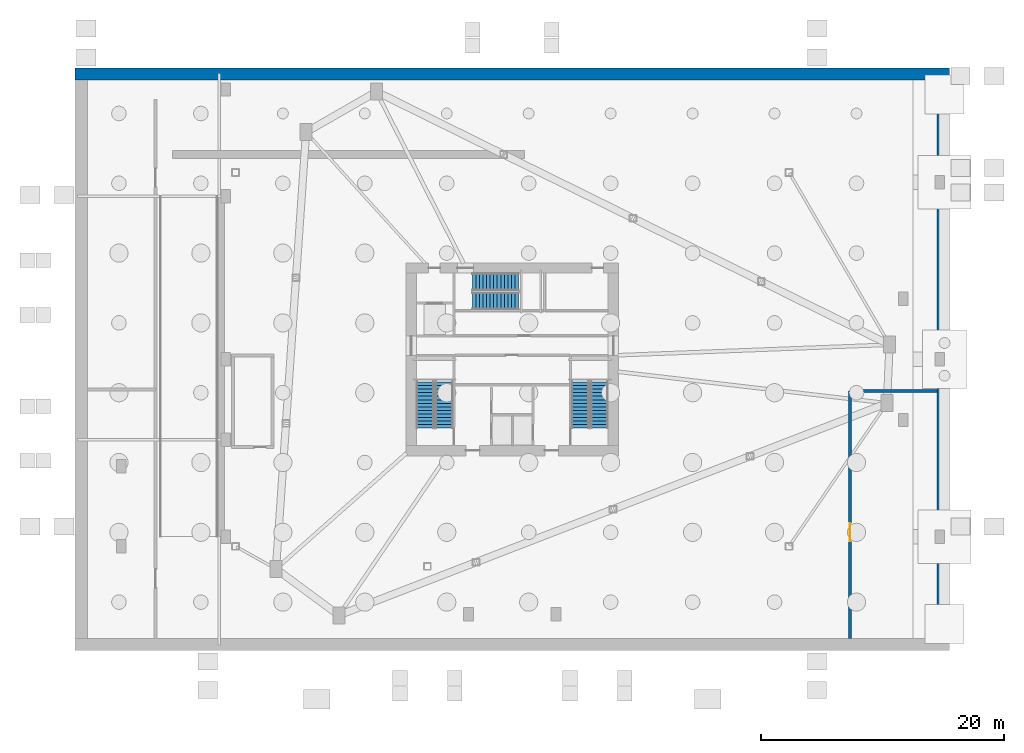
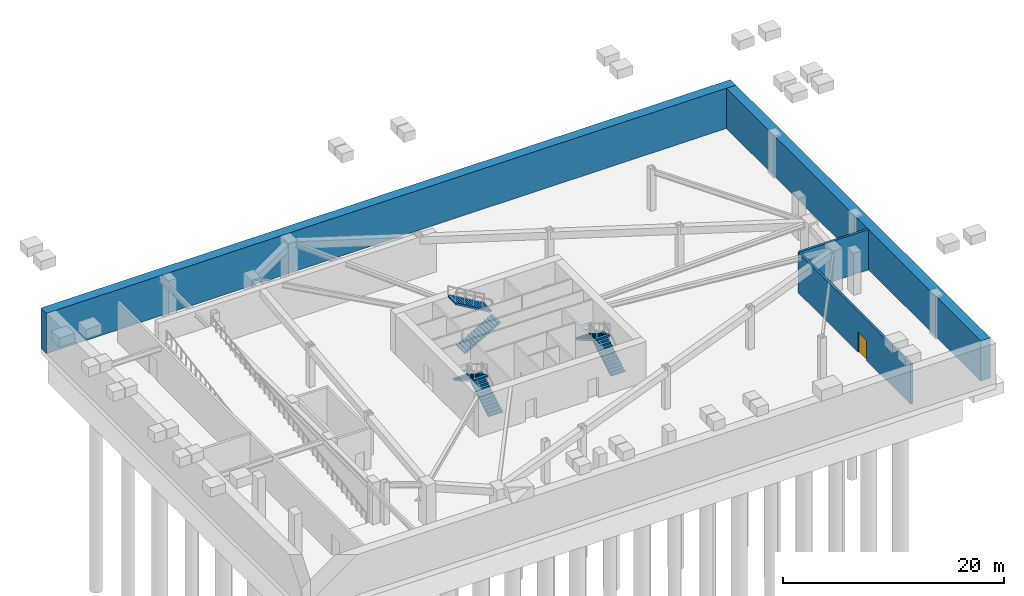
# One storey, part 5 of 9: 6 stair flights, 4 walls, 1 door, 1 opening, 3 elements without a shape of their own.
"""IFC4 building model written with IfcOpenShell, lengths in metres."""

from ifc_helpers import new_model, si_unit, direction, frame, frame_2d, origin, place, context, subcontext, project, spatial, polyline, rectangle, outline, extrude, source, transform, mapped, material, layer, layer_set, type_object, type_shapes, element, fill, aggregate, save


model = new_model("IFC4")

# Units and contexts
model_context = context("Model", 3, precision=1e-05, world=origin(), true_north=direction((0.0, 1.0)))
body_context = subcontext(model_context, "Body", "Model", "MODEL_VIEW")
ifc_project = project(units=[si_unit("LENGTHUNIT", "METRE"), si_unit("AREAUNIT", "SQUARE_METRE"), si_unit("VOLUMEUNIT", "CUBIC_METRE"), si_unit("PLANEANGLEUNIT", "RADIAN"), si_unit("MASSUNIT", "GRAM", prefix="KILO")], contexts=[model_context])

# Site, building, storey
site_placement = place(None, origin())
site = spatial("IfcSite", under=ifc_project, at=site_placement, CompositionType="ELEMENT")
building_placement = place(site_placement, origin())
building = spatial("IfcBuilding", under=site, at=building_placement, Name="Olszyna Solenne Hotel", CompositionType="ELEMENT")
storey_placement = place(building_placement, frame((0.0, 0.0, -9.60009765625)))
storey = spatial("IfcBuildingStorey", under=building, at=storey_placement, Name="B02", CompositionType="ELEMENT", Elevation=-9.60009765625)

# Walls
ifc_material_1 = material(Name="Concrete C40/50", Category="concrete")
ifc_layer_1 = layer(ifc_material_1, 1.0, Name="Concrete C40/50")
ifc_layer_set_1 = layer_set([ifc_layer_1], Name="Concrete C40/50")
wall_type_1 = type_object("IfcWallType", Name="WL-DW1000", PredefinedType="SOLIDWALL", material=ifc_layer_set_1)
wall_1_placement = place(storey_placement, frame((2.0, 50.10009765625, 0.0), z_axis=(0.0, 0.0, 1.0), x_axis=(1.0, 0.0, 0.0)))
element("IfcWall", 1, at=wall_1_placement, inside=storey, type_object=wall_type_1, Name="Perimeter diaphragm wall DW-B02-N", PredefinedType="SOLIDWALL", context=body_context, shape_type="SweptSolid", body=[
    extrude(rectangle(XDim=72.0, YDim=1.0, at=frame_2d((36.0, 0.0))), origin(), (0.0, 0.0, 1.0), 4.4501953125),
])
wall_2_placement = place(storey_placement, frame((73.5, 3.60009765625, 0.0), z_axis=(0.0, 0.0, 1.0), x_axis=(0.0, 1.0, 0.0)))
element("IfcWall", 2, at=wall_2_placement, inside=storey, type_object=wall_type_1, Name="Perimeter diaphragm wall DW-B02-E", PredefinedType="SOLIDWALL", context=body_context, shape_type="SweptSolid", body=[
    extrude(rectangle(XDim=46.0, YDim=1.0, at=frame_2d((23.0, 0.0))), origin(), (0.0, 0.0, 1.0), 4.4501953125),
])

# Wall, opening, door
ifc_material_2 = material(Name="Acoustic gypsum partition", Category="gypsum")
ifc_layer_2 = layer(ifc_material_2, 0.239990234375, Name="Acoustic gypsum partition")
ifc_layer_set_2 = layer_set([ifc_layer_2], Name="Acoustic gypsum partition")
wall_type_2 = type_object("IfcWallType", Name="WL-PT240", PredefinedType="PARTITIONING", material=ifc_layer_set_2)
wall_3_placement = place(storey_placement, frame((65.800048828125, 3.60009765625, 0.0), z_axis=(0.0, 0.0, 1.0), x_axis=(0.0, 1.0, 0.0)))
wall_3 = element("IfcWall", 3, at=wall_3_placement, inside=storey, type_object=wall_type_2, Name="Interior acoustic partition WL-PT240 PW-B02-0024", PredefinedType="PARTITIONING", context=body_context, shape_type="SweptSolid", body=[
    extrude(rectangle(XDim=20.39990234375, YDim=0.239990234375, at=frame_2d((10.199951171875, 0.0))), origin(), (0.0, 0.0, 1.0), 4.4501953125),
])
opening_placement = place(wall_3_placement, frame((8.0, 0.0, 0.0)))
opening = element("IfcOpeningElement", 4, at=opening_placement, cuts=wall_3, Name="Opening DR-B02-0005", PredefinedType="OPENING", context=body_context, shape_type="SweptSolid", body=[
    extrude(rectangle(XDim=1.5, YDim=2.25, at=frame_2d((0.75, 1.125))), frame((0.0, 0.1298828125, 0.0), z_axis=(0.0, -1.0, 0.0), x_axis=(1.0, 0.0, 0.0)), (0.0, 0.0, 1.0), 0.260009765625),
])
ifc_material_3 = material(Name="Steel S355J2", Category="steel")
door_type = type_object("IfcDoorType", Name="DR-PL1", OperationType="DOUBLE_DOOR_SINGLE_SWING", PredefinedType="DOOR", material=ifc_material_3)
shared_shape = source(origin(), body_context, "Body", "SweptSolid", [
    extrude(rectangle(XDim=1.5, YDim=2.25, at=frame_2d((0.75, 1.125))), frame((0.0, 0.02490234375, 0.0), z_axis=(0.0, -1.0, 0.0), x_axis=(1.0, 0.0, 0.0)), (0.0, 0.0, 1.0), 0.050048828125),
])
type_shapes(door_type, [shared_shape])
door_placement = place(opening_placement, origin())
door = element("IfcDoor", 5, at=door_placement, inside=storey, type_object=door_type, Name="Substation Fire Door DR-B02-0005", OperationType="DOUBLE_DOOR_SINGLE_SWING", OverallHeight=2.25, OverallWidth=1.5, PredefinedType="DOOR", context=body_context, shape_type="MappedRepresentation", body=[
    mapped(shared_shape, transform((0.0, 0.0, 0.0), x_axis=(1.0, 0.0, 0.0), y_axis=(0.0, 1.0, 0.0), z_axis=(0.0, 0.0, 1.0), scale=1.0)),
])
fill(opening, door)

# Wall
wall_4_placement = place(storey_placement, frame((65.800048828125, 24.0, 0.0), z_axis=(0.0, 0.0, 1.0), x_axis=(1.0, 0.0, 0.0)))
element("IfcWall", 6, at=wall_4_placement, inside=storey, type_object=wall_type_2, Name="Interior acoustic partition WL-PT240 PW-B02-0025", PredefinedType="PARTITIONING", context=body_context, shape_type="SweptSolid", body=[
    extrude(rectangle(XDim=7.199951171875, YDim=0.239990234375, at=frame_2d((3.60009765625, 0.0))), origin(), (0.0, 0.0, 1.0), 4.4501953125),
])

# Stair, stair flights
stair_type = type_object("IfcStairType", Name="STR-C1", PredefinedType="TWO_QUARTER_WINDING_STAIR", material=ifc_material_1)
stair_1_placement = place(storey_placement, origin())
stair_1 = element("IfcStair", 7, at=stair_1_placement, inside=storey, type_object=stair_type, Name="B02 ST1", PredefinedType="TWO_QUARTER_WINDING_STAIR")
stair_flight_type = type_object("IfcStairFlightType", Name="FLT-C1", PredefinedType="STRAIGHT", material=ifc_material_1)
stair_flight_1_placement = place(storey_placement, frame((32.39501953125, 20.949951171875, 0.0), z_axis=(0.0, 0.0, 1.0), x_axis=(0.0, 1.0, 0.0)))
stair_flight_1 = element("IfcStairFlight", 8, at=stair_flight_1_placement, type_object=stair_flight_type, Name="ST1 flight 1", NumberOfRisers=14, NumberOfTreads=13, PredefinedType="STRAIGHT", RiserHeight=0.171428571, TreadLength=0.29, context=body_context, shape_type="SweptSolid", body=[
    extrude(outline(polyline([(0.0, 0.0), (0.0, 0.17138671875), (0.2900390625, 0.17138671875), (0.2900390625, 0.3427734375), (0.580078125, 0.3427734375), (0.580078125, 0.514404296875), (0.8701171875, 0.514404296875), (0.8701171875, 0.685791015625), (1.159912109375, 0.685791015625), (1.159912109375, 0.857177734375), (1.449951171875, 0.857177734375), (1.449951171875, 1.028564453125), (1.739990234375, 1.028564453125), (1.739990234375, 1.199951171875), (2.030029296875, 1.199951171875), (2.030029296875, 1.371337890625), (2.320068359375, 1.371337890625), (2.320068359375, 1.54296875), (2.610107421875, 1.54296875), (2.610107421875, 1.71435546875), (2.89990234375, 1.71435546875), (2.89990234375, 1.8857421875), (3.18994140625, 1.8857421875), (3.18994140625, 2.05712890625), (3.47998046875, 2.05712890625), (3.47998046875, 2.228515625), (3.77001953125, 2.228515625), (3.77001953125, 2.39990234375), (3.77001953125, 2.054443359375), (0.294677734375, 0.0), (0.0, 0.0)])), frame((0.0, 0.72509765625, 0.0), z_axis=(0.0, -1.0, 0.0), x_axis=(1.0, 0.0, 0.0)), (0.0, 0.0, 1.0), 1.449951171875),
])
stair_flight_2_placement = place(storey_placement, frame((30.824951171875, 24.719970703125, 2.400146484375), z_axis=(0.0, 0.0, 1.0), x_axis=(0.0, -1.0, 0.0)))
stair_flight_2 = element("IfcStairFlight", 9, at=stair_flight_2_placement, type_object=stair_flight_type, Name="ST1 flight 2", NumberOfRisers=14, NumberOfTreads=13, PredefinedType="STRAIGHT", RiserHeight=0.171428571, TreadLength=0.29, context=body_context, shape_type="SweptSolid", body=[
    extrude(outline(polyline([(0.0, 0.0), (0.0, 0.17138671875), (0.2900390625, 0.17138671875), (0.2900390625, 0.3427734375), (0.580078125, 0.3427734375), (0.580078125, 0.514404296875), (0.8701171875, 0.514404296875), (0.8701171875, 0.685791015625), (1.159912109375, 0.685791015625), (1.159912109375, 0.857177734375), (1.449951171875, 0.857177734375), (1.449951171875, 1.028564453125), (1.739990234375, 1.028564453125), (1.739990234375, 1.199951171875), (2.030029296875, 1.199951171875), (2.030029296875, 1.371337890625), (2.320068359375, 1.371337890625), (2.320068359375, 1.54296875), (2.610107421875, 1.54296875), (2.610107421875, 1.71435546875), (2.89990234375, 1.71435546875), (2.89990234375, 1.8857421875), (3.18994140625, 1.8857421875), (3.18994140625, 2.05712890625), (3.47998046875, 2.05712890625), (3.47998046875, 2.228515625), (3.77001953125, 2.228515625), (3.77001953125, 2.39990234375), (3.77001953125, 2.054443359375), (0.294677734375, 0.0), (0.0, 0.0)])), frame((0.0, 0.72509765625, 0.0), z_axis=(0.0, -1.0, 0.0), x_axis=(1.0, 0.0, 0.0)), (0.0, 0.0, 1.0), 1.449951171875),
])
aggregate(stair_1, [stair_flight_1, stair_flight_2])

stair_2_placement = place(storey_placement, origin())
stair_2 = element("IfcStair", 10, at=stair_2_placement, inside=storey, type_object=stair_type, Name="B02 ST2", PredefinedType="TWO_QUARTER_WINDING_STAIR")
stair_flight_3_placement = place(storey_placement, frame((45.175048828125, 20.949951171875, 0.0), z_axis=(0.0, 0.0, 1.0), x_axis=(0.0, 1.0, 0.0)))
stair_flight_3 = element("IfcStairFlight", 11, at=stair_flight_3_placement, type_object=stair_flight_type, Name="ST2 flight 1", NumberOfRisers=14, NumberOfTreads=13, PredefinedType="STRAIGHT", RiserHeight=0.171428571, TreadLength=0.29, context=body_context, shape_type="SweptSolid", body=[
    extrude(outline(polyline([(0.0, 0.0), (0.0, 0.17138671875), (0.2900390625, 0.17138671875), (0.2900390625, 0.3427734375), (0.580078125, 0.3427734375), (0.580078125, 0.514404296875), (0.8701171875, 0.514404296875), (0.8701171875, 0.685791015625), (1.159912109375, 0.685791015625), (1.159912109375, 0.857177734375), (1.449951171875, 0.857177734375), (1.449951171875, 1.028564453125), (1.739990234375, 1.028564453125), (1.739990234375, 1.199951171875), (2.030029296875, 1.199951171875), (2.030029296875, 1.371337890625), (2.320068359375, 1.371337890625), (2.320068359375, 1.54296875), (2.610107421875, 1.54296875), (2.610107421875, 1.71435546875), (2.89990234375, 1.71435546875), (2.89990234375, 1.8857421875), (3.18994140625, 1.8857421875), (3.18994140625, 2.05712890625), (3.47998046875, 2.05712890625), (3.47998046875, 2.228515625), (3.77001953125, 2.228515625), (3.77001953125, 2.39990234375), (3.77001953125, 2.054443359375), (0.294677734375, 0.0), (0.0, 0.0)])), frame((0.0, 0.72509765625, 0.0), z_axis=(0.0, -1.0, 0.0), x_axis=(1.0, 0.0, 0.0)), (0.0, 0.0, 1.0), 1.449951171875),
])
stair_flight_4_placement = place(storey_placement, frame((43.60498046875, 24.719970703125, 2.400146484375), z_axis=(0.0, 0.0, 1.0), x_axis=(0.0, -1.0, 0.0)))
stair_flight_4 = element("IfcStairFlight", 12, at=stair_flight_4_placement, type_object=stair_flight_type, Name="ST2 flight 2", NumberOfRisers=14, NumberOfTreads=13, PredefinedType="STRAIGHT", RiserHeight=0.171428571, TreadLength=0.29, context=body_context, shape_type="SweptSolid", body=[
    extrude(outline(polyline([(0.0, 0.0), (0.0, 0.17138671875), (0.2900390625, 0.17138671875), (0.2900390625, 0.3427734375), (0.580078125, 0.3427734375), (0.580078125, 0.514404296875), (0.8701171875, 0.514404296875), (0.8701171875, 0.685791015625), (1.159912109375, 0.685791015625), (1.159912109375, 0.857177734375), (1.449951171875, 0.857177734375), (1.449951171875, 1.028564453125), (1.739990234375, 1.028564453125), (1.739990234375, 1.199951171875), (2.030029296875, 1.199951171875), (2.030029296875, 1.371337890625), (2.320068359375, 1.371337890625), (2.320068359375, 1.54296875), (2.610107421875, 1.54296875), (2.610107421875, 1.71435546875), (2.89990234375, 1.71435546875), (2.89990234375, 1.8857421875), (3.18994140625, 1.8857421875), (3.18994140625, 2.05712890625), (3.47998046875, 2.05712890625), (3.47998046875, 2.228515625), (3.77001953125, 2.228515625), (3.77001953125, 2.39990234375), (3.77001953125, 2.054443359375), (0.294677734375, 0.0), (0.0, 0.0)])), frame((0.0, 0.72509765625, 0.0), z_axis=(0.0, -1.0, 0.0), x_axis=(1.0, 0.0, 0.0)), (0.0, 0.0, 1.0), 1.449951171875),
])
aggregate(stair_2, [stair_flight_3, stair_flight_4])

stair_3_placement = place(storey_placement, origin())
stair_3 = element("IfcStair", 13, at=stair_3_placement, inside=storey, type_object=stair_type, Name="B02 ST3", PredefinedType="TWO_QUARTER_WINDING_STAIR")
stair_flight_5_placement = place(storey_placement, frame((34.72998046875, 31.405029296875, 0.0), z_axis=(0.0, 0.0, 1.0), x_axis=(1.0, 0.0, 0.0)))
stair_flight_5 = element("IfcStairFlight", 14, at=stair_flight_5_placement, type_object=stair_flight_type, Name="ST3 flight 1", NumberOfRisers=14, NumberOfTreads=13, PredefinedType="STRAIGHT", RiserHeight=0.171428571, TreadLength=0.29, context=body_context, shape_type="SweptSolid", body=[
    extrude(outline(polyline([(0.0, 0.0), (0.0, 0.17138671875), (0.2900390625, 0.17138671875), (0.2900390625, 0.3427734375), (0.580078125, 0.3427734375), (0.580078125, 0.514404296875), (0.8701171875, 0.514404296875), (0.8701171875, 0.685791015625), (1.159912109375, 0.685791015625), (1.159912109375, 0.857177734375), (1.449951171875, 0.857177734375), (1.449951171875, 1.028564453125), (1.739990234375, 1.028564453125), (1.739990234375, 1.199951171875), (2.030029296875, 1.199951171875), (2.030029296875, 1.371337890625), (2.320068359375, 1.371337890625), (2.320068359375, 1.54296875), (2.610107421875, 1.54296875), (2.610107421875, 1.71435546875), (2.89990234375, 1.71435546875), (2.89990234375, 1.8857421875), (3.18994140625, 1.8857421875), (3.18994140625, 2.05712890625), (3.47998046875, 2.05712890625), (3.47998046875, 2.228515625), (3.77001953125, 2.228515625), (3.77001953125, 2.39990234375), (3.77001953125, 2.054443359375), (0.294677734375, 0.0), (0.0, 0.0)])), frame((0.0, 0.72509765625, 0.0), z_axis=(0.0, -1.0, 0.0), x_axis=(1.0, 0.0, 0.0)), (0.0, 0.0, 1.0), 1.449951171875),
])
stair_flight_6_placement = place(storey_placement, frame((38.5, 32.97509765625, 2.400146484375), z_axis=(0.0, 0.0, 1.0), x_axis=(-1.0, 0.0, 0.0)))
stair_flight_6 = element("IfcStairFlight", 15, at=stair_flight_6_placement, type_object=stair_flight_type, Name="ST3 flight 2", NumberOfRisers=14, NumberOfTreads=13, PredefinedType="STRAIGHT", RiserHeight=0.171428571, TreadLength=0.29, context=body_context, shape_type="SweptSolid", body=[
    extrude(outline(polyline([(0.0, 0.0), (0.0, 0.17138671875), (0.2900390625, 0.17138671875), (0.2900390625, 0.3427734375), (0.580078125, 0.3427734375), (0.580078125, 0.514404296875), (0.8701171875, 0.514404296875), (0.8701171875, 0.685791015625), (1.159912109375, 0.685791015625), (1.159912109375, 0.857177734375), (1.449951171875, 0.857177734375), (1.449951171875, 1.028564453125), (1.739990234375, 1.028564453125), (1.739990234375, 1.199951171875), (2.030029296875, 1.199951171875), (2.030029296875, 1.371337890625), (2.320068359375, 1.371337890625), (2.320068359375, 1.54296875), (2.610107421875, 1.54296875), (2.610107421875, 1.71435546875), (2.89990234375, 1.71435546875), (2.89990234375, 1.8857421875), (3.18994140625, 1.8857421875), (3.18994140625, 2.05712890625), (3.47998046875, 2.05712890625), (3.47998046875, 2.228515625), (3.77001953125, 2.228515625), (3.77001953125, 2.39990234375), (3.77001953125, 2.054443359375), (0.294677734375, 0.0), (0.0, 0.0)])), frame((0.0, 0.72509765625, 0.0), z_axis=(0.0, -1.0, 0.0), x_axis=(1.0, 0.0, 0.0)), (0.0, 0.0, 1.0), 1.449951171875),
])
aggregate(stair_3, [stair_flight_5, stair_flight_6])

save(model, "model.ifc")
